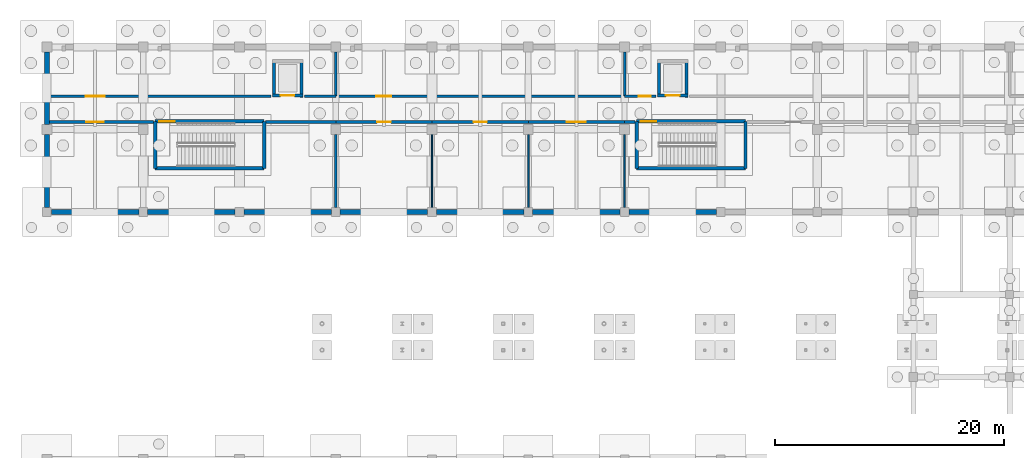
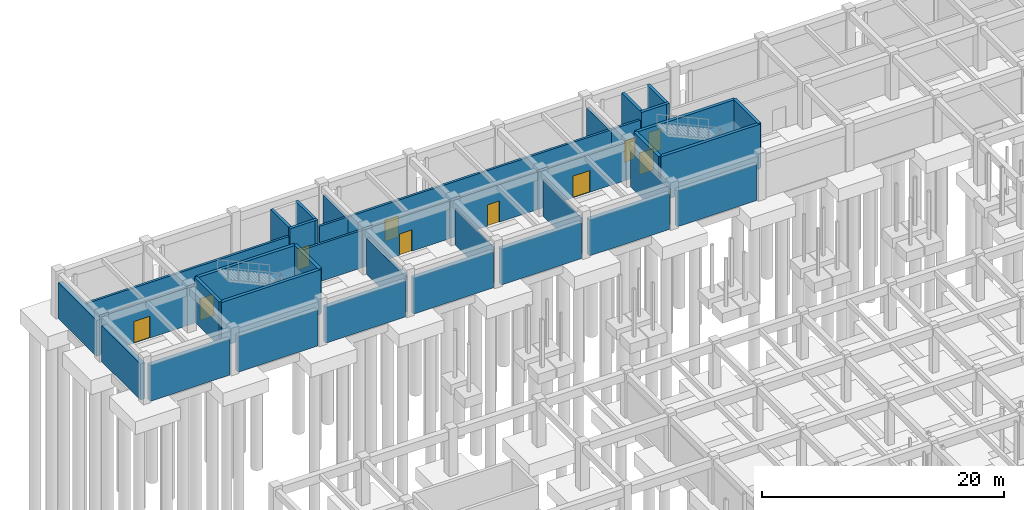
# One storey, part 61 of 80: 39 walls, 11 doors, 11 openings.
"""IFC4 building model written with IfcOpenShell, lengths in metres."""

from ifc_helpers import new_model, si_unit, direction, frame, frame_2d, origin, place, context, subcontext, project, spatial, rectangle, extrude, material, layer, layer_set, type_object, element, fill, save


model = new_model("IFC4")

# Units and contexts
model_context = context("Model", 3, precision=1e-05, world=origin(), true_north=direction((0.0, 1.0)))
body_context = subcontext(model_context, "Body", "Model", "MODEL_VIEW")
ifc_project = project(units=[si_unit("LENGTHUNIT", "METRE"), si_unit("AREAUNIT", "SQUARE_METRE"), si_unit("VOLUMEUNIT", "CUBIC_METRE"), si_unit("PLANEANGLEUNIT", "RADIAN"), si_unit("MASSUNIT", "GRAM", prefix="KILO")], contexts=[model_context])

# Site, building, storey
site_placement = place(None, origin())
site = spatial("IfcSite", under=ifc_project, at=site_placement, CompositionType="ELEMENT")
building_placement = place(site_placement, origin())
building = spatial("IfcBuilding", under=site, at=building_placement, Name="Malvenik Polytechnic", CompositionType="ELEMENT")
storey_placement = place(building_placement, frame((0.0, 0.0, -4.800048828125)))
storey = spatial("IfcBuildingStorey", under=building, at=storey_placement, Name="B1", CompositionType="ELEMENT", Elevation=-4.800048828125)

# Wall, opening, door
ifc_material_1 = material(Name="Concrete C35/45", Category="concrete")
ifc_layer_1 = layer(ifc_material_1, 0.280029296875)
ifc_layer_set_1 = layer_set([ifc_layer_1], Name="Concrete C35/45")
wall_type_1 = type_object("IfcWallType", Name="ARC-CW-S280", PredefinedType="SHEAR", material=ifc_layer_set_1)
wall_1_placement = place(storey_placement, frame((22.340087890625, 125.35009765625, 0.0), z_axis=(0.0, 0.0, 1.0), x_axis=(-1.0, 0.0, 0.0)))
wall_1 = element("IfcWall", 1, at=wall_1_placement, inside=storey, type_object=wall_type_1, Name="Lift Shaft Shear Wall LS-01 B1 -Y", PredefinedType="SHEAR", context=body_context, shape_type="SweptSolid", body=[
    extrude(rectangle(XDim=2.68017578125, YDim=0.280029296875, at=frame_2d((1.340087890625, 0.0))), origin(), (0.0, 0.0, 1.0), 4.5),
])
opening_1_placement = place(wall_1_placement, frame((0.739990234375, 0.0, 0.0)))
opening_1 = element("IfcOpeningElement", 2, at=opening_1_placement, cuts=wall_1, Name="Opening LD-02", PredefinedType="OPENING", context=body_context, shape_type="SweptSolid", body=[
    extrude(rectangle(XDim=1.199951171875, YDim=2.14990234375, at=frame_2d((0.60009765625, 1.074951171875))), frame((0.0, 0.14990234375, 0.0), z_axis=(0.0, -1.0, 0.0), x_axis=(1.0, 0.0, 0.0)), (0.0, 0.0, 1.0), 0.300048828125),
])
ifc_material_2 = material(Name="Stainless steel fire-rated sliding lift landing door", Category="steel")
door_type_1 = type_object("IfcDoorType", Name="ARC-LDR-LD-02", OperationType="NOTDEFINED", PredefinedType="DOOR", material=ifc_material_2)
door_1_placement = place(opening_1_placement, origin())
door_1 = element("IfcDoor", 3, at=door_1_placement, inside=storey, type_object=door_type_1, Name="Lift Sliding Landing Door LS-01 B1", OperationType="DOUBLE_DOOR_SLIDING", OverallHeight=2.14990234375, OverallWidth=1.199951171875, PredefinedType="DOOR", context=body_context, shape_type="SweptSolid", body=[
    extrude(rectangle(XDim=1.199951171875, YDim=2.14990234375, at=frame_2d((0.60009765625, 1.074951171875))), frame((0.0, 0.02490234375, 0.0), z_axis=(0.0, -1.0, 0.0), x_axis=(1.0, 0.0, 0.0)), (0.0, 0.0, 1.0), 0.050048828125),
])
fill(opening_1, door_1)

# Walls
for number, where, z_axis, x_axis, name in (
    (4, (19.800048828125, 125.2099609375, 0.0), (0.0, 0.0, 1.0), (0.0, 1.0, 0.0), "Lift Shaft Shear Wall LS-01 B1 -X"),
    (5, (22.199951171875, 128.489990234375, 0.0), (0.0, 0.0, 1.0), (0.0, -1.0, 0.0), "Lift Shaft Shear Wall LS-01 B1 +X"),
):
    element("IfcWall", number, at=place(storey_placement, frame(where, z_axis=z_axis, x_axis=x_axis)), inside=storey, type_object=wall_type_1, Name=name, PredefinedType="SHEAR", context=body_context, shape_type="SweptSolid", body=[
        extrude(rectangle(XDim=3.280029296875, YDim=0.280029296875, at=frame_2d((1.64013671875, 0.0))), origin(), (0.0, 0.0, 1.0), 4.5),
    ])

# Wall, opening, door
wall_2_placement = place(storey_placement, frame((55.93994140625, 125.35009765625, 0.0), z_axis=(0.0, 0.0, 1.0), x_axis=(-1.0, 0.0, 0.0)))
wall_2 = element("IfcWall", 6, at=wall_2_placement, inside=storey, type_object=wall_type_1, Name="Lift Shaft Shear Wall LS-02 B1 -Y", PredefinedType="SHEAR", context=body_context, shape_type="SweptSolid", body=[
    extrude(rectangle(XDim=2.679931640625, YDim=0.280029296875, at=frame_2d((1.33984375, 0.0))), origin(), (0.0, 0.0, 1.0), 4.5),
])
opening_2_placement = place(wall_2_placement, frame((0.739990234375, 0.0, 0.0)))
opening_2 = element("IfcOpeningElement", 7, at=opening_2_placement, cuts=wall_2, Name="Opening LD-02", PredefinedType="OPENING", context=body_context, shape_type="SweptSolid", body=[
    extrude(rectangle(XDim=1.199951171875, YDim=2.14990234375, at=frame_2d((0.60009765625, 1.074951171875))), frame((0.0, 0.14990234375, 0.0), z_axis=(0.0, -1.0, 0.0), x_axis=(1.0, 0.0, 0.0)), (0.0, 0.0, 1.0), 0.300048828125),
])
door_2_placement = place(opening_2_placement, origin())
door_2 = element("IfcDoor", 8, at=door_2_placement, inside=storey, type_object=door_type_1, Name="Lift Sliding Landing Door LS-02 B1", OperationType="DOUBLE_DOOR_SLIDING", OverallHeight=2.14990234375, OverallWidth=1.199951171875, PredefinedType="DOOR", context=body_context, shape_type="SweptSolid", body=[
    extrude(rectangle(XDim=1.199951171875, YDim=2.14990234375, at=frame_2d((0.60009765625, 1.074951171875))), frame((0.0, 0.02490234375, 0.0), z_axis=(0.0, -1.0, 0.0), x_axis=(1.0, 0.0, 0.0)), (0.0, 0.0, 1.0), 0.050048828125),
])
fill(opening_2, door_2)

# Walls
for number, where, z_axis, x_axis, name in (
    (9, (53.39990234375, 125.2099609375, 0.0), (0.0, 0.0, 1.0), (0.0, 1.0, 0.0), "Lift Shaft Shear Wall LS-02 B1 -X"),
    (10, (55.800048828125, 128.489990234375, 0.0), (0.0, 0.0, 1.0), (0.0, -1.0, 0.0), "Lift Shaft Shear Wall LS-02 B1 +X"),
):
    element("IfcWall", number, at=place(storey_placement, frame(where, z_axis=z_axis, x_axis=x_axis)), inside=storey, type_object=wall_type_1, Name=name, PredefinedType="SHEAR", context=body_context, shape_type="SweptSolid", body=[
        extrude(rectangle(XDim=3.280029296875, YDim=0.280029296875, at=frame_2d((1.64013671875, 0.0))), origin(), (0.0, 0.0, 1.0), 4.5),
    ])
ifc_layer_2 = layer(ifc_material_1, 0.300048828125)
ifc_layer_set_2 = layer_set([ifc_layer_2], Name="Concrete C35/45")
wall_type_2 = type_object("IfcWallType", Name="ARC-CW-S300", PredefinedType="SHEAR", material=ifc_layer_set_2)
wall_3_placement = place(storey_placement, frame((9.449951171875, 119.0, 0.0), z_axis=(0.0, 0.0, 1.0), x_axis=(0.0, 1.0, 0.0)))
element("IfcWall", 11, at=wall_3_placement, inside=storey, type_object=wall_type_2, Name="Stair Core Shear Wall ST-01 B1 NEAR", PredefinedType="SHEAR", context=body_context, shape_type="SweptSolid", body=[
    extrude(rectangle(XDim=4.10009765625, YDim=0.300048828125, at=frame_2d((2.050048828125, 0.0))), origin(), (0.0, 0.0, 1.0), 4.5),
])

# Wall, opening, door
wall_4_placement = place(storey_placement, frame((9.449951171875, 123.10009765625, 0.0), z_axis=(0.0, 0.0, 1.0), x_axis=(1.0, 0.0, 0.0)))
wall_4 = element("IfcWall", 12, at=wall_4_placement, inside=storey, type_object=wall_type_2, Name="Stair Core Shear Wall ST-01 B1 RGHT", PredefinedType="SHEAR", context=body_context, shape_type="SweptSolid", body=[
    extrude(rectangle(XDim=9.5, YDim=0.300048828125, at=frame_2d((4.75, 0.0))), origin(), (0.0, 0.0, 1.0), 4.5),
])
opening_3_placement = place(wall_4_placement, frame((0.35009765625, 0.0, 0.0)))
opening_3 = element("IfcOpeningElement", 13, at=opening_3_placement, cuts=wall_4, Name="Opening SD-01", PredefinedType="OPENING", context=body_context, shape_type="SweptSolid", body=[
    extrude(rectangle(XDim=1.35009765625, YDim=2.199951171875, at=frame_2d((0.675048828125, 1.10009765625))), frame((0.0, 0.16015625, 0.0), z_axis=(0.0, -1.0, 0.0), x_axis=(1.0, 0.0, 0.0)), (0.0, 0.0, 1.0), 0.320068359375),
])
ifc_material_3 = material(Name="Fire-rated steel stair enclosure door", Category="steel")
door_type_2 = type_object("IfcDoorType", Name="ARC-IDR-SD-01", OperationType="NOTDEFINED", PredefinedType="DOOR", material=ifc_material_3)
door_3_placement = place(opening_3_placement, origin())
door_3 = element("IfcDoor", 14, at=door_3_placement, inside=storey, type_object=door_type_2, Name="Fire Stair Door ST-01 B1", OperationType="SINGLE_SWING_RIGHT", OverallHeight=2.199951171875, OverallWidth=1.35009765625, PredefinedType="DOOR", context=body_context, shape_type="SweptSolid", body=[
    extrude(rectangle(XDim=1.35009765625, YDim=2.199951171875, at=frame_2d((0.675048828125, 1.10009765625))), frame((0.0, 0.02490234375, 0.0), z_axis=(0.0, -1.0, 0.0), x_axis=(1.0, 0.0, 0.0)), (0.0, 0.0, 1.0), 0.050048828125),
])
fill(opening_3, door_3)

# Walls
wall_5_placement = place(storey_placement, frame((18.949951171875, 123.10009765625, 0.0), z_axis=(0.0, 0.0, 1.0), x_axis=(0.0, -1.0, 0.0)))
element("IfcWall", 15, at=wall_5_placement, inside=storey, type_object=wall_type_2, Name="Stair Core Shear Wall ST-01 B1 FAR", PredefinedType="SHEAR", context=body_context, shape_type="SweptSolid", body=[
    extrude(rectangle(XDim=4.10009765625, YDim=0.300048828125, at=frame_2d((2.050048828125, 0.0))), origin(), (0.0, 0.0, 1.0), 4.5),
])
wall_6_placement = place(storey_placement, frame((18.949951171875, 119.0, 0.0), z_axis=(0.0, 0.0, 1.0), x_axis=(-1.0, 0.0, 0.0)))
element("IfcWall", 16, at=wall_6_placement, inside=storey, type_object=wall_type_2, Name="Stair Core Shear Wall ST-01 B1 LEFT", PredefinedType="SHEAR", context=body_context, shape_type="SweptSolid", body=[
    extrude(rectangle(XDim=9.5, YDim=0.300048828125, at=frame_2d((4.75, 0.0))), origin(), (0.0, 0.0, 1.0), 4.5),
])
wall_7_placement = place(storey_placement, frame((51.449951171875, 119.0, 0.0), z_axis=(0.0, 0.0, 1.0), x_axis=(0.0, 1.0, 0.0)))
element("IfcWall", 17, at=wall_7_placement, inside=storey, type_object=wall_type_2, Name="Stair Core Shear Wall ST-02 B1 NEAR", PredefinedType="SHEAR", context=body_context, shape_type="SweptSolid", body=[
    extrude(rectangle(XDim=4.10009765625, YDim=0.300048828125, at=frame_2d((2.050048828125, 0.0))), origin(), (0.0, 0.0, 1.0), 4.5),
])

# Wall, opening, door
wall_8_placement = place(storey_placement, frame((51.449951171875, 123.10009765625, 0.0), z_axis=(0.0, 0.0, 1.0), x_axis=(1.0, 0.0, 0.0)))
wall_8 = element("IfcWall", 18, at=wall_8_placement, inside=storey, type_object=wall_type_2, Name="Stair Core Shear Wall ST-02 B1 RGHT", PredefinedType="SHEAR", context=body_context, shape_type="SweptSolid", body=[
    extrude(rectangle(XDim=9.5, YDim=0.300048828125, at=frame_2d((4.75, 0.0))), origin(), (0.0, 0.0, 1.0), 4.5),
])
opening_4_placement = place(wall_8_placement, frame((0.35009765625, 0.0, 0.0)))
opening_4 = element("IfcOpeningElement", 19, at=opening_4_placement, cuts=wall_8, Name="Opening SD-01", PredefinedType="OPENING", context=body_context, shape_type="SweptSolid", body=[
    extrude(rectangle(XDim=1.35009765625, YDim=2.199951171875, at=frame_2d((0.675048828125, 1.10009765625))), frame((0.0, 0.16015625, 0.0), z_axis=(0.0, -1.0, 0.0), x_axis=(1.0, 0.0, 0.0)), (0.0, 0.0, 1.0), 0.320068359375),
])
door_4_placement = place(opening_4_placement, origin())
door_4 = element("IfcDoor", 20, at=door_4_placement, inside=storey, type_object=door_type_2, Name="Fire Stair Door ST-02 B1", OperationType="SINGLE_SWING_RIGHT", OverallHeight=2.199951171875, OverallWidth=1.35009765625, PredefinedType="DOOR", context=body_context, shape_type="SweptSolid", body=[
    extrude(rectangle(XDim=1.35009765625, YDim=2.199951171875, at=frame_2d((0.675048828125, 1.10009765625))), frame((0.0, 0.02490234375, 0.0), z_axis=(0.0, -1.0, 0.0), x_axis=(1.0, 0.0, 0.0)), (0.0, 0.0, 1.0), 0.050048828125),
])
fill(opening_4, door_4)

# Walls
wall_9_placement = place(storey_placement, frame((60.949951171875, 123.10009765625, 0.0), z_axis=(0.0, 0.0, 1.0), x_axis=(0.0, -1.0, 0.0)))
element("IfcWall", 21, at=wall_9_placement, inside=storey, type_object=wall_type_2, Name="Stair Core Shear Wall ST-02 B1 FAR", PredefinedType="SHEAR", context=body_context, shape_type="SweptSolid", body=[
    extrude(rectangle(XDim=4.10009765625, YDim=0.300048828125, at=frame_2d((2.050048828125, 0.0))), origin(), (0.0, 0.0, 1.0), 4.5),
])
wall_10_placement = place(storey_placement, frame((60.949951171875, 119.0, 0.0), z_axis=(0.0, 0.0, 1.0), x_axis=(-1.0, 0.0, 0.0)))
element("IfcWall", 22, at=wall_10_placement, inside=storey, type_object=wall_type_2, Name="Stair Core Shear Wall ST-02 B1 LEFT", PredefinedType="SHEAR", context=body_context, shape_type="SweptSolid", body=[
    extrude(rectangle(XDim=9.5, YDim=0.300048828125, at=frame_2d((4.75, 0.0))), origin(), (0.0, 0.0, 1.0), 4.5),
])

# Wall, opening, door
ifc_material_4 = material(Name="Autoclaved aerated concrete blockwork 220mm", Category="masonry")
ifc_layer_3 = layer(ifc_material_4, 0.219970703125)
ifc_layer_set_3 = layer_set([ifc_layer_3], Name="Autoclaved aerated concrete blockwork 220mm")
wall_type_3 = type_object("IfcWallType", Name="ARC-FW-220", PredefinedType="SOLIDWALL", material=ifc_layer_set_3)
wall_11_placement = place(storey_placement, frame((0.219970703125, 125.300048828125, 0.0), z_axis=(0.0, 0.0, 1.0), x_axis=(1.0, 0.0, 0.0)))
wall_11 = element("IfcWall", 23, at=wall_11_placement, inside=storey, type_object=wall_type_3, Name="Interior Partition FW-01 B1 #1", PredefinedType="SOLIDWALL", context=body_context, shape_type="SweptSolid", body=[
    extrude(rectangle(XDim=19.31005859375, YDim=0.219970703125, at=frame_2d((9.655029296875, 0.0))), origin(), (0.0, 0.0, 1.0), 3.78515625),
])
opening_5_placement = place(wall_11_placement, frame((3.155029296875, 0.0, 0.0)))
opening_5 = element("IfcOpeningElement", 24, at=opening_5_placement, cuts=wall_11, Name="Opening FD-03", PredefinedType="OPENING", context=body_context, shape_type="SweptSolid", body=[
    extrude(rectangle(XDim=1.64990234375, YDim=2.199951171875, at=frame_2d((0.824951171875, 1.10009765625))), frame((0.0, 0.1201171875, 0.0), z_axis=(0.0, -1.0, 0.0), x_axis=(1.0, 0.0, 0.0)), (0.0, 0.0, 1.0), 0.239990234375),
])
ifc_material_5 = material(Name="Fire-rated double-leaf laboratory door", Category="steel")
door_type_3 = type_object("IfcDoorType", Name="ARC-IDR-FD-03", OperationType="NOTDEFINED", PredefinedType="DOOR", material=ifc_material_5)
door_5_placement = place(opening_5_placement, origin())
door_5 = element("IfcDoor", 25, at=door_5_placement, inside=storey, type_object=door_type_3, Name="Interior Door FD-03 B1 #1", OperationType="DOUBLE_DOOR_SINGLE_SWING", OverallHeight=2.199951171875, OverallWidth=1.64990234375, PredefinedType="DOOR", context=body_context, shape_type="SweptSolid", body=[
    extrude(rectangle(XDim=1.64990234375, YDim=2.199951171875, at=frame_2d((0.824951171875, 1.10009765625))), frame((0.0, 0.02490234375, 0.0), z_axis=(0.0, -1.0, 0.0), x_axis=(1.0, 0.0, 0.0)), (0.0, 0.0, 1.0), 0.050048828125),
])
fill(opening_5, door_5)

# Walls
wall_12_placement = place(storey_placement, frame((22.469970703125, 125.300048828125, 0.0), z_axis=(0.0, 0.0, 1.0), x_axis=(1.0, 0.0, 0.0)))
element("IfcWall", 26, at=wall_12_placement, inside=storey, type_object=wall_type_3, Name="Interior Partition FW-01 B1 #2", PredefinedType="SOLIDWALL", context=body_context, shape_type="SweptSolid", body=[
    extrude(rectangle(XDim=2.72998046875, YDim=0.219970703125, at=frame_2d((1.364990234375, 0.0))), origin(), (0.0, 0.0, 1.0), 3.78515625),
])
wall_13_placement = place(storey_placement, frame((25.199951171875, 125.300048828125, 0.0), z_axis=(0.0, 0.0, 1.0), x_axis=(0.0, 1.0, 0.0)))
element("IfcWall", 27, at=wall_13_placement, inside=storey, type_object=wall_type_3, Name="Interior Partition FW-01 B1 #3", PredefinedType="SOLIDWALL", context=body_context, shape_type="SweptSolid", body=[
    extrude(rectangle(XDim=3.85498046875, YDim=0.219970703125, at=frame_2d((1.927490234375, 0.0))), origin(), (0.0, 0.0, 1.0), 3.635009765625),
])

# Wall, opening, door
wall_14_placement = place(storey_placement, frame((25.199951171875, 125.300048828125, 0.0), z_axis=(0.0, 0.0, 1.0), x_axis=(1.0, 0.0, 0.0)))
wall_14 = element("IfcWall", 28, at=wall_14_placement, inside=storey, type_object=wall_type_3, Name="Interior Partition FW-01 B1 #4", PredefinedType="SOLIDWALL", context=body_context, shape_type="SweptSolid", body=[
    extrude(rectangle(XDim=25.199951171875, YDim=0.219970703125, at=frame_2d((12.60009765625, 0.0))), origin(), (0.0, 0.0, 1.0), 3.78515625),
])
opening_6_placement = place(wall_14_placement, frame((3.550048828125, 0.0, 0.0)))
opening_6 = element("IfcOpeningElement", 29, at=opening_6_placement, cuts=wall_14, Name="Opening FD-04", PredefinedType="OPENING", context=body_context, shape_type="SweptSolid", body=[
    extrude(rectangle(XDim=1.300048828125, YDim=2.14990234375, at=frame_2d((0.64990234375, 1.074951171875))), frame((0.0, 0.1201171875, 0.0), z_axis=(0.0, -1.0, 0.0), x_axis=(1.0, 0.0, 0.0)), (0.0, 0.0, 1.0), 0.239990234375),
])
ifc_material_6 = material(Name="Fire-rated plant room steel door", Category="steel")
door_type_4 = type_object("IfcDoorType", Name="ARC-IDR-FD-04", OperationType="NOTDEFINED", PredefinedType="DOOR", material=ifc_material_6)
door_6_placement = place(opening_6_placement, origin())
door_6 = element("IfcDoor", 30, at=door_6_placement, inside=storey, type_object=door_type_4, Name="Interior Door FD-04 B1 #2", OperationType="SINGLE_SWING_LEFT", OverallHeight=2.14990234375, OverallWidth=1.300048828125, PredefinedType="DOOR", context=body_context, shape_type="SweptSolid", body=[
    extrude(rectangle(XDim=1.300048828125, YDim=2.14990234375, at=frame_2d((0.64990234375, 1.074951171875))), frame((0.0, 0.02490234375, 0.0), z_axis=(0.0, -1.0, 0.0), x_axis=(1.0, 0.0, 0.0)), (0.0, 0.0, 1.0), 0.050048828125),
])
fill(opening_6, door_6)

# Wall
wall_15_placement = place(storey_placement, frame((50.39990234375, 125.300048828125, 0.0), z_axis=(0.0, 0.0, 1.0), x_axis=(0.0, 1.0, 0.0)))
element("IfcWall", 31, at=wall_15_placement, inside=storey, type_object=wall_type_3, Name="Interior Partition FW-01 B1 #5", PredefinedType="SOLIDWALL", context=body_context, shape_type="SweptSolid", body=[
    extrude(rectangle(XDim=3.85498046875, YDim=0.219970703125, at=frame_2d((1.927490234375, 0.0))), origin(), (0.0, 0.0, 1.0), 3.635009765625),
])

# Wall, opening, door
wall_16_placement = place(storey_placement, frame((50.39990234375, 125.300048828125, 0.0), z_axis=(0.0, 0.0, 1.0), x_axis=(1.0, 0.0, 0.0)))
wall_16 = element("IfcWall", 32, at=wall_16_placement, inside=storey, type_object=wall_type_3, Name="Interior Partition FW-01 B1 #6", PredefinedType="SOLIDWALL", context=body_context, shape_type="SweptSolid", body=[
    extrude(rectangle(XDim=2.72998046875, YDim=0.219970703125, at=frame_2d((1.364990234375, 0.0))), origin(), (0.0, 0.0, 1.0), 3.78515625),
])
opening_7_placement = place(wall_16_placement, frame((1.22998046875, 0.0, 0.0)))
opening_7 = element("IfcOpeningElement", 33, at=opening_7_placement, cuts=wall_16, Name="Opening FD-05", PredefinedType="OPENING", context=body_context, shape_type="SweptSolid", body=[
    extrude(rectangle(XDim=1.050048828125, YDim=2.14990234375, at=frame_2d((0.52490234375, 1.074951171875))), frame((0.0, 0.1201171875, 0.0), z_axis=(0.0, -1.0, 0.0), x_axis=(1.0, 0.0, 0.0)), (0.0, 0.0, 1.0), 0.239990234375),
])
ifc_material_7 = material(Name="Fire-rated archive room door", Category="steel")
door_type_5 = type_object("IfcDoorType", Name="ARC-IDR-FD-05", OperationType="NOTDEFINED", PredefinedType="DOOR", material=ifc_material_7)
door_7_placement = place(opening_7_placement, origin())
door_7 = element("IfcDoor", 34, at=door_7_placement, inside=storey, type_object=door_type_5, Name="Interior Door FD-05 B1 #3", OperationType="SINGLE_SWING_RIGHT", OverallHeight=2.14990234375, OverallWidth=1.050048828125, PredefinedType="DOOR", context=body_context, shape_type="SweptSolid", body=[
    extrude(rectangle(XDim=1.050048828125, YDim=2.14990234375, at=frame_2d((0.52490234375, 1.074951171875))), frame((0.0, 0.02490234375, 0.0), z_axis=(0.0, -1.0, 0.0), x_axis=(1.0, 0.0, 0.0)), (0.0, 0.0, 1.0), 0.050048828125),
])
fill(opening_7, door_7)

# Wall
wall_17_placement = place(storey_placement, frame((25.199951171875, 123.050048828125, 0.0), z_axis=(0.0, 0.0, 1.0), x_axis=(-1.0, 0.0, 0.0)))
element("IfcWall", 35, at=wall_17_placement, inside=storey, type_object=wall_type_3, Name="Interior Partition FW-01 B1 #13", PredefinedType="SOLIDWALL", context=body_context, shape_type="SweptSolid", body=[
    extrude(rectangle(XDim=6.10986328125, YDim=0.219970703125, at=frame_2d((3.054931640625, 0.0))), origin(), (0.0, 0.0, 1.0), 3.78515625),
])

# Wall, opening, door
wall_18_placement = place(storey_placement, frame((9.31005859375, 123.050048828125, 0.0), z_axis=(0.0, 0.0, 1.0), x_axis=(-1.0, 0.0, 0.0)))
wall_18 = element("IfcWall", 36, at=wall_18_placement, inside=storey, type_object=wall_type_3, Name="Interior Partition FW-01 B1 #14", PredefinedType="SOLIDWALL", context=body_context, shape_type="SweptSolid", body=[
    extrude(rectangle(XDim=9.090087890625, YDim=0.219970703125, at=frame_2d((4.544921875, 0.0))), origin(), (0.0, 0.0, 1.0), 3.78515625),
])
opening_8_placement = place(wall_18_placement, frame((4.3349609375, 0.0, 0.0)))
opening_8 = element("IfcOpeningElement", 37, at=opening_8_placement, cuts=wall_18, Name="Opening FD-09", PredefinedType="OPENING", context=body_context, shape_type="SweptSolid", body=[
    extrude(rectangle(XDim=1.550048828125, YDim=2.199951171875, at=frame_2d((0.77490234375, 1.10009765625))), frame((0.0, 0.1201171875, 0.0), z_axis=(0.0, -1.0, 0.0), x_axis=(1.0, 0.0, 0.0)), (0.0, 0.0, 1.0), 0.239990234375),
])
ifc_material_8 = material(Name="Fire-rated studio corridor double door", Category="steel")
door_type_6 = type_object("IfcDoorType", Name="ARC-IDR-FD-09", OperationType="NOTDEFINED", PredefinedType="DOOR", material=ifc_material_8)
door_8_placement = place(opening_8_placement, origin())
door_8 = element("IfcDoor", 38, at=door_8_placement, inside=storey, type_object=door_type_6, Name="Interior Door FD-09 B1 #6", OperationType="DOUBLE_DOOR_SINGLE_SWING", OverallHeight=2.199951171875, OverallWidth=1.550048828125, PredefinedType="DOOR", context=body_context, shape_type="SweptSolid", body=[
    extrude(rectangle(XDim=1.550048828125, YDim=2.199951171875, at=frame_2d((0.77490234375, 1.10009765625))), frame((0.0, 0.02490234375, 0.0), z_axis=(0.0, -1.0, 0.0), x_axis=(1.0, 0.0, 0.0)), (0.0, 0.0, 1.0), 0.050048828125),
])
fill(opening_8, door_8)

# Wall
wall_19_placement = place(storey_placement, frame((25.199951171875, 115.594970703125, 0.0), z_axis=(0.0, 0.0, 1.0), x_axis=(0.0, 1.0, 0.0)))
element("IfcWall", 39, at=wall_19_placement, inside=storey, type_object=wall_type_3, Name="Interior Partition FW-01 B1 #15", PredefinedType="SOLIDWALL", context=body_context, shape_type="SweptSolid", body=[
    extrude(rectangle(XDim=6.360107421875, YDim=0.219970703125, at=frame_2d((3.18017578125, 0.0))), origin(), (0.0, 0.0, 1.0), 3.635009765625),
])

# Wall, opening, door
wall_20_placement = place(storey_placement, frame((33.60009765625, 123.050048828125, 0.0), z_axis=(0.0, 0.0, 1.0), x_axis=(-1.0, 0.0, 0.0)))
wall_20 = element("IfcWall", 40, at=wall_20_placement, inside=storey, type_object=wall_type_3, Name="Interior Partition FW-01 B1 #16", PredefinedType="SOLIDWALL", context=body_context, shape_type="SweptSolid", body=[
    extrude(rectangle(XDim=8.400146484375, YDim=0.219970703125, at=frame_2d((4.2001953125, 0.0))), origin(), (0.0, 0.0, 1.0), 3.78515625),
])
opening_9_placement = place(wall_20_placement, frame((3.60009765625, 0.0, 0.0)))
opening_9 = element("IfcOpeningElement", 41, at=opening_9_placement, cuts=wall_20, Name="Opening FD-10", PredefinedType="OPENING", context=body_context, shape_type="SweptSolid", body=[
    extrude(rectangle(XDim=1.199951171875, YDim=2.14990234375, at=frame_2d((0.60009765625, 1.074951171875))), frame((0.0, 0.1201171875, 0.0), z_axis=(0.0, -1.0, 0.0), x_axis=(1.0, 0.0, 0.0)), (0.0, 0.0, 1.0), 0.239990234375),
])
ifc_material_9 = material(Name="Fire-rated laboratory corridor door", Category="steel")
door_type_7 = type_object("IfcDoorType", Name="ARC-IDR-FD-10", OperationType="NOTDEFINED", PredefinedType="DOOR", material=ifc_material_9)
door_9_placement = place(opening_9_placement, origin())
door_9 = element("IfcDoor", 42, at=door_9_placement, inside=storey, type_object=door_type_7, Name="Interior Door FD-10 B1 #7", OperationType="SINGLE_SWING_LEFT", OverallHeight=2.14990234375, OverallWidth=1.199951171875, PredefinedType="DOOR", context=body_context, shape_type="SweptSolid", body=[
    extrude(rectangle(XDim=1.199951171875, YDim=2.14990234375, at=frame_2d((0.60009765625, 1.074951171875))), frame((0.0, 0.02490234375, 0.0), z_axis=(0.0, -1.0, 0.0), x_axis=(1.0, 0.0, 0.0)), (0.0, 0.0, 1.0), 0.050048828125),
])
fill(opening_9, door_9)

wall_21_placement = place(storey_placement, frame((42.0, 123.050048828125, 0.0), z_axis=(0.0, 0.0, 1.0), x_axis=(-1.0, 0.0, 0.0)))
wall_21 = element("IfcWall", 43, at=wall_21_placement, inside=storey, type_object=wall_type_3, Name="Interior Partition FW-01 B1 #18", PredefinedType="SOLIDWALL", context=body_context, shape_type="SweptSolid", body=[
    extrude(rectangle(XDim=8.39990234375, YDim=0.219970703125, at=frame_2d((4.199951171875, 0.0))), origin(), (0.0, 0.0, 1.0), 3.78515625),
])
opening_10_placement = place(wall_21_placement, frame((3.625, 0.0, 0.0)))
opening_10 = element("IfcOpeningElement", 44, at=opening_10_placement, cuts=wall_21, Name="Opening FD-01", PredefinedType="OPENING", context=body_context, shape_type="SweptSolid", body=[
    extrude(rectangle(XDim=1.14990234375, YDim=2.14990234375, at=frame_2d((0.574951171875, 1.074951171875))), frame((0.0, 0.1201171875, 0.0), z_axis=(0.0, -1.0, 0.0), x_axis=(1.0, 0.0, 0.0)), (0.0, 0.0, 1.0), 0.239990234375),
])
ifc_material_10 = material(Name="Fire-rated timber acoustic corridor door", Category="wood")
door_type_8 = type_object("IfcDoorType", Name="ARC-IDR-FD-01", OperationType="NOTDEFINED", PredefinedType="DOOR", material=ifc_material_10)
door_10_placement = place(opening_10_placement, origin())
door_10 = element("IfcDoor", 45, at=door_10_placement, inside=storey, type_object=door_type_8, Name="Interior Door FD-01 B1 #8", OperationType="SINGLE_SWING_RIGHT", OverallHeight=2.14990234375, OverallWidth=1.14990234375, PredefinedType="DOOR", context=body_context, shape_type="SweptSolid", body=[
    extrude(rectangle(XDim=1.14990234375, YDim=2.14990234375, at=frame_2d((0.574951171875, 1.074951171875))), frame((0.0, 0.02490234375, 0.0), z_axis=(0.0, -1.0, 0.0), x_axis=(1.0, 0.0, 0.0)), (0.0, 0.0, 1.0), 0.050048828125),
])
fill(opening_10, door_10)

wall_22_placement = place(storey_placement, frame((50.39990234375, 123.050048828125, 0.0), z_axis=(0.0, 0.0, 1.0), x_axis=(-1.0, 0.0, 0.0)))
wall_22 = element("IfcWall", 46, at=wall_22_placement, inside=storey, type_object=wall_type_3, Name="Interior Partition FW-01 B1 #20", PredefinedType="SOLIDWALL", context=body_context, shape_type="SweptSolid", body=[
    extrude(rectangle(XDim=8.39990234375, YDim=0.219970703125, at=frame_2d((4.199951171875, 0.0))), origin(), (0.0, 0.0, 1.0), 3.78515625),
])
opening_11_placement = place(wall_22_placement, frame((3.375, 0.0, 0.0)))
opening_11 = element("IfcOpeningElement", 47, at=opening_11_placement, cuts=wall_22, Name="Opening FD-03", PredefinedType="OPENING", context=body_context, shape_type="SweptSolid", body=[
    extrude(rectangle(XDim=1.64990234375, YDim=2.199951171875, at=frame_2d((0.824951171875, 1.10009765625))), frame((0.0, 0.1201171875, 0.0), z_axis=(0.0, -1.0, 0.0), x_axis=(1.0, 0.0, 0.0)), (0.0, 0.0, 1.0), 0.239990234375),
])
door_11_placement = place(opening_11_placement, origin())
door_11 = element("IfcDoor", 48, at=door_11_placement, inside=storey, type_object=door_type_3, Name="Interior Door FD-03 B1 #9", OperationType="DOUBLE_DOOR_SINGLE_SWING", OverallHeight=2.199951171875, OverallWidth=1.64990234375, PredefinedType="DOOR", context=body_context, shape_type="SweptSolid", body=[
    extrude(rectangle(XDim=1.64990234375, YDim=2.199951171875, at=frame_2d((0.824951171875, 1.10009765625))), frame((0.0, 0.02490234375, 0.0), z_axis=(0.0, -1.0, 0.0), x_axis=(1.0, 0.0, 0.0)), (0.0, 0.0, 1.0), 0.050048828125),
])
fill(opening_11, door_11)

# Walls
wall_23_placement = place(storey_placement, frame((51.31005859375, 123.050048828125, 0.0), z_axis=(0.0, 0.0, 1.0), x_axis=(-1.0, 0.0, 0.0)))
element("IfcWall", 49, at=wall_23_placement, inside=storey, type_object=wall_type_3, Name="Interior Partition FW-01 B1 #23", PredefinedType="SOLIDWALL", context=body_context, shape_type="SweptSolid", body=[
    extrude(rectangle(XDim=0.91015625, YDim=0.219970703125, at=frame_2d((0.455078125, 0.0))), origin(), (0.0, 0.0, 1.0), 3.78515625),
])
ifc_material_11 = material(Name="Lightweight gypsum partition 110mm", Category="gypsum")
ifc_layer_4 = layer(ifc_material_11, 0.110107421875)
ifc_layer_set_4 = layer_set([ifc_layer_4], Name="Lightweight gypsum partition 110mm")
wall_type_4 = type_object("IfcWallType", Name="ARC-PW-110", PredefinedType="PARTITIONING", material=ifc_layer_set_4)
wall_24_placement = place(storey_placement, frame((33.60009765625, 115.594970703125, 0.0), z_axis=(0.0, 0.0, 1.0), x_axis=(0.0, 1.0, 0.0)))
element("IfcWall", 50, at=wall_24_placement, inside=storey, type_object=wall_type_4, Name="Interior Partition PW-04I B1 #17", PredefinedType="PARTITIONING", context=body_context, shape_type="SweptSolid", body=[
    extrude(rectangle(XDim=6.360107421875, YDim=0.110107421875, at=frame_2d((3.18017578125, 0.0))), origin(), (0.0, 0.0, 1.0), 3.635009765625),
])
ifc_material_12 = material(Name="Metal-stud gypsum board partition 125mm", Category="gypsum")
ifc_layer_5 = layer(ifc_material_12, 0.125)
ifc_layer_set_5 = layer_set([ifc_layer_5], Name="Metal-stud gypsum board partition 125mm")
wall_type_5 = type_object("IfcWallType", Name="ARC-PW-125", PredefinedType="PARTITIONING", material=ifc_layer_set_5)
wall_25_placement = place(storey_placement, frame((42.0, 115.594970703125, 0.0), z_axis=(0.0, 0.0, 1.0), x_axis=(0.0, 1.0, 0.0)))
element("IfcWall", 51, at=wall_25_placement, inside=storey, type_object=wall_type_5, Name="Interior Partition PW-03I B1 #19", PredefinedType="PARTITIONING", context=body_context, shape_type="SweptSolid", body=[
    extrude(rectangle(XDim=6.360107421875, YDim=0.125, at=frame_2d((3.18017578125, 0.0))), origin(), (0.0, 0.0, 1.0), 3.635009765625),
])
ifc_material_13 = material(Name="Acoustic metal-stud gypsum partition 140mm", Category="gypsum")
ifc_layer_6 = layer(ifc_material_13, 0.139892578125)
ifc_layer_set_6 = layer_set([ifc_layer_6], Name="Acoustic metal-stud gypsum partition 140mm")
wall_type_6 = type_object("IfcWallType", Name="ARC-PW-140", PredefinedType="PARTITIONING", material=ifc_layer_set_6)
wall_26_placement = place(storey_placement, frame((50.39990234375, 115.594970703125, 0.0), z_axis=(0.0, 0.0, 1.0), x_axis=(0.0, 1.0, 0.0)))
element("IfcWall", 52, at=wall_26_placement, inside=storey, type_object=wall_type_6, Name="Interior Partition PW-02I B1 #21", PredefinedType="PARTITIONING", context=body_context, shape_type="SweptSolid", body=[
    extrude(rectangle(XDim=6.360107421875, YDim=0.139892578125, at=frame_2d((3.18017578125, 0.0))), origin(), (0.0, 0.0, 1.0), 3.635009765625),
])
ifc_layer_7 = layer(ifc_material_1, 0.39990234375)
ifc_layer_set_7 = layer_set([ifc_layer_7], Name="Concrete C35/45")
wall_type_7 = type_object("IfcWallType", Name="STR-WL-RET-400", PredefinedType="SHEAR", material=ifc_layer_set_7)
wall_27_placement = place(storey_placement, frame((0.3798828125, 115.199951171875, 0.0), z_axis=(0.0, 0.0, 1.0), x_axis=(1.0, 0.0, 0.0)))
element("IfcWall", 53, at=wall_27_placement, inside=storey, type_object=wall_type_7, Name="Basement Retaining Wall RW-400 #19", PredefinedType="SHEAR", context=body_context, shape_type="SweptSolid", body=[
    extrude(rectangle(XDim=7.64013671875, YDim=0.39990234375, at=frame_2d((3.820068359375, 0.0))), origin(), (0.0, 0.0, 1.0), 3.64013671875),
])
wall_28_placement = place(storey_placement, frame((8.780029296875, 115.199951171875, 0.0), z_axis=(0.0, 0.0, 1.0), x_axis=(1.0, 0.0, 0.0)))
element("IfcWall", 54, at=wall_28_placement, inside=storey, type_object=wall_type_7, Name="Basement Retaining Wall RW-400 #20", PredefinedType="SHEAR", context=body_context, shape_type="SweptSolid", body=[
    extrude(rectangle(XDim=7.639892578125, YDim=0.39990234375, at=frame_2d((3.81982421875, 0.0))), origin(), (0.0, 0.0, 1.0), 3.64013671875),
])
wall_29_placement = place(storey_placement, frame((17.179931640625, 115.199951171875, 0.0), z_axis=(0.0, 0.0, 1.0), x_axis=(1.0, 0.0, 0.0)))
element("IfcWall", 55, at=wall_29_placement, inside=storey, type_object=wall_type_7, Name="Basement Retaining Wall RW-400 #21", PredefinedType="SHEAR", context=body_context, shape_type="SweptSolid", body=[
    extrude(rectangle(XDim=7.64013671875, YDim=0.39990234375, at=frame_2d((3.820068359375, 0.0))), origin(), (0.0, 0.0, 1.0), 3.64013671875),
])
wall_30_placement = place(storey_placement, frame((25.580078125, 115.199951171875, 0.0), z_axis=(0.0, 0.0, 1.0), x_axis=(1.0, 0.0, 0.0)))
element("IfcWall", 56, at=wall_30_placement, inside=storey, type_object=wall_type_7, Name="Basement Retaining Wall RW-400 #22", PredefinedType="SHEAR", context=body_context, shape_type="SweptSolid", body=[
    extrude(rectangle(XDim=7.639892578125, YDim=0.39990234375, at=frame_2d((3.81982421875, 0.0))), origin(), (0.0, 0.0, 1.0), 3.64013671875),
])
for number, where, z_axis, x_axis, name in (
    (57, (33.97998046875, 115.199951171875, 0.0), (0.0, 0.0, 1.0), (1.0, 0.0, 0.0), "Basement Retaining Wall RW-400 #23"),
    (58, (42.3798828125, 115.199951171875, 0.0), (0.0, 0.0, 1.0), (1.0, 0.0, 0.0), "Basement Retaining Wall RW-400 #24"),
):
    element("IfcWall", number, at=place(storey_placement, frame(where, z_axis=z_axis, x_axis=x_axis)), inside=storey, type_object=wall_type_7, Name=name, PredefinedType="SHEAR", context=body_context, shape_type="SweptSolid", body=[
        extrude(rectangle(XDim=7.64013671875, YDim=0.39990234375, at=frame_2d((3.820068359375, 0.0))), origin(), (0.0, 0.0, 1.0), 3.64013671875),
    ])
wall_31_placement = place(storey_placement, frame((50.780029296875, 115.199951171875, 0.0), z_axis=(0.0, 0.0, 1.0), x_axis=(1.0, 0.0, 0.0)))
element("IfcWall", 59, at=wall_31_placement, inside=storey, type_object=wall_type_7, Name="Basement Retaining Wall RW-400 #25", PredefinedType="SHEAR", context=body_context, shape_type="SweptSolid", body=[
    extrude(rectangle(XDim=7.639892578125, YDim=0.39990234375, at=frame_2d((3.81982421875, 0.0))), origin(), (0.0, 0.0, 1.0), 3.64013671875),
])
ifc_layer_8 = layer(ifc_material_1, 0.449951171875)
ifc_layer_set_8 = layer_set([ifc_layer_8], Name="Concrete C35/45")
wall_type_8 = type_object("IfcWallType", Name="STR-WL-RET-450", PredefinedType="SHEAR", material=ifc_layer_set_8)
wall_32_placement = place(storey_placement, frame((0.0, 115.580078125, 0.0), z_axis=(0.0, 0.0, 1.0), x_axis=(0.0, 1.0, 0.0)))
element("IfcWall", 60, at=wall_32_placement, inside=storey, type_object=wall_type_8, Name="Basement Retaining Wall RW-450 #17", PredefinedType="SHEAR", context=body_context, shape_type="SweptSolid", body=[
    extrude(rectangle(XDim=6.389892578125, YDim=0.449951171875, at=frame_2d((3.19482421875, 0.0))), origin(), (0.0, 0.0, 1.0), 3.64013671875),
])
wall_33_placement = place(storey_placement, frame((0.0, 122.830078125, 0.0), z_axis=(0.0, 0.0, 1.0), x_axis=(0.0, 1.0, 0.0)))
element("IfcWall", 61, at=wall_33_placement, inside=storey, type_object=wall_type_8, Name="Basement Retaining Wall RW-450 #18", PredefinedType="SHEAR", context=body_context, shape_type="SweptSolid", body=[
    extrude(rectangle(XDim=6.33984375, YDim=0.449951171875, at=frame_2d((3.169921875, 0.0))), origin(), (0.0, 0.0, 1.0), 3.64013671875),
])

save(model, "model.ifc")
